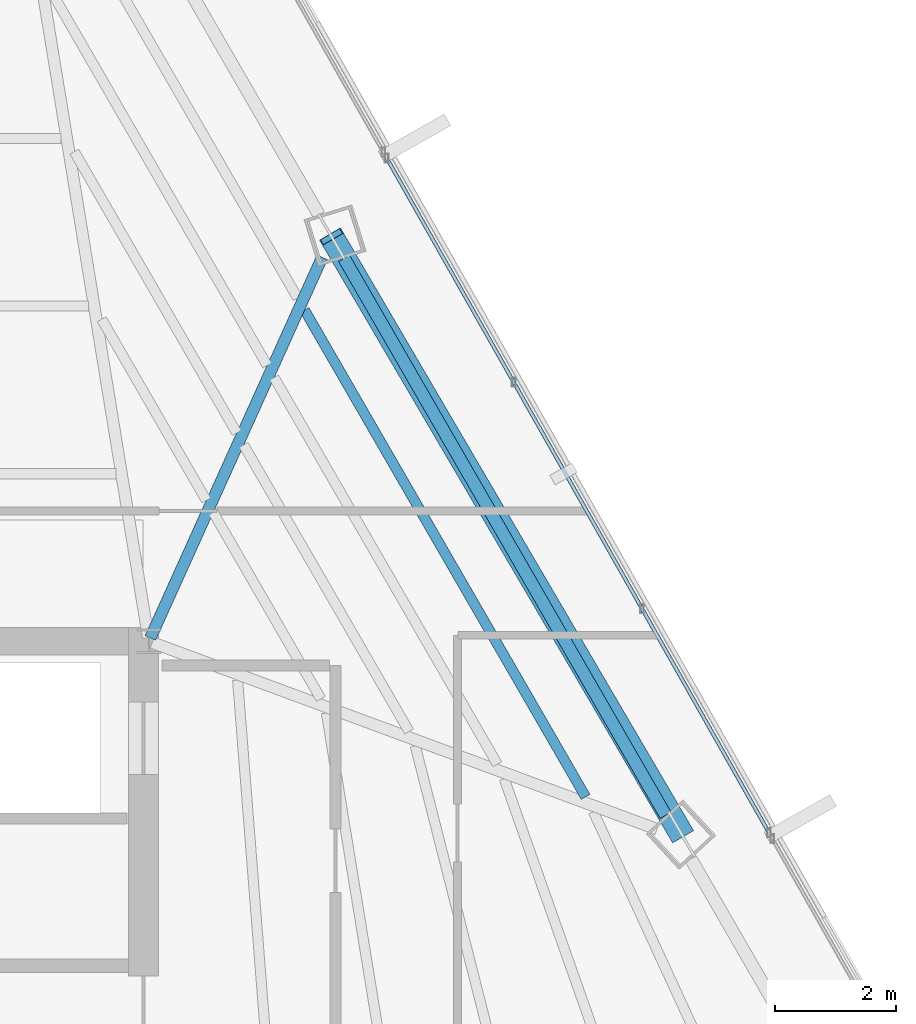
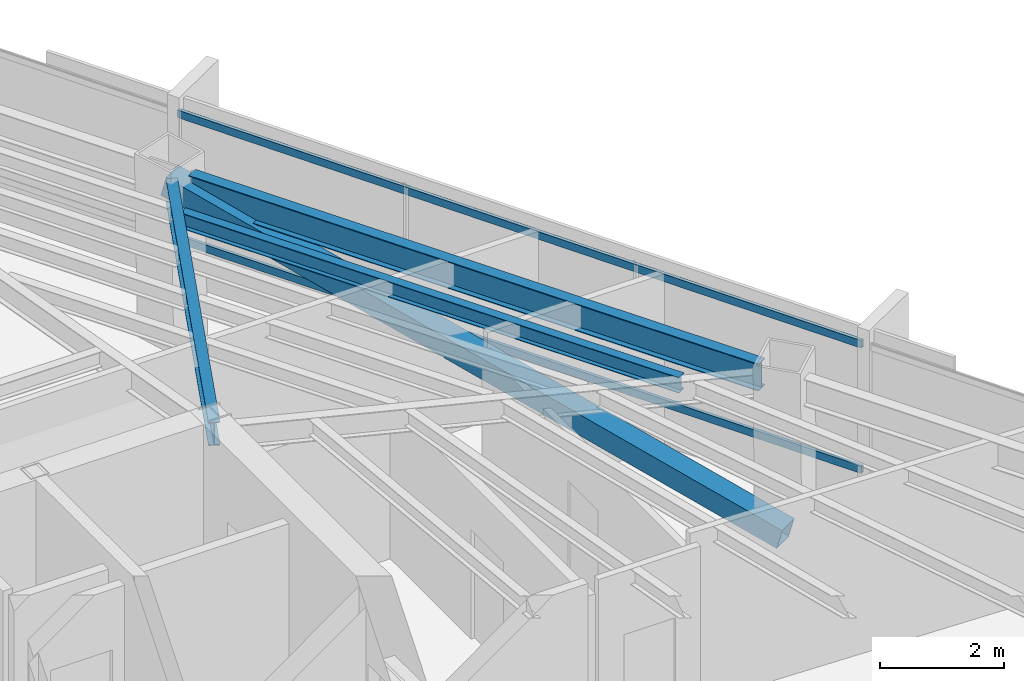
# One storey, part 27 of 40: 3 beams, 3 members, 1 element without a shape of its own.
"""IFC4 building model written with IfcOpenShell, lengths in metres."""

import ifcopenshell
import ifcopenshell.guid

model = None  # the IFC model being written
_history = None  # IfcOwnerHistory: only IFC2X3 demands one
_inside = {}  # id of a spatial element -> (the spatial element, [elements in it])
_under = {}  # id of a project, library or spatial element -> (it, [spatial elements below it])
_declared = {}  # id of a project -> (the project, [libraries it declares])
_typed = {}  # id of a type object -> (the type object, [elements of that type])
_made_of = {}  # id of a material, layer set ... -> (it, [elements and type objects made of it])


def new_model(schema):
    """Start an empty IFC model of exactly this schema.

    Asked for "IFC4X3", IfcOpenShell would pick the latest addendum, in which some entities
    have other attributes; the version numbers below select the first issue.
    IFC2X3 requires an IfcOwnerHistory on every rooted entity: one is made here for all.
    """
    global model, _history
    if schema == "IFC4X3":
        model = ifcopenshell.file(schema_version=(4, 3, 0, 0))
    else:
        model = ifcopenshell.file(schema=schema)
    _inside.clear()
    _under.clear()
    _declared.clear()
    _typed.clear()
    _made_of.clear()
    _history = None
    if model.schema == "IFC2X3":
        org = make("IfcOrganization", Name="unknown")
        user = make(
            "IfcPersonAndOrganization",
            ThePerson=make("IfcPerson", FamilyName="unknown"),
            TheOrganization=org,
        )
        app = make(
            "IfcApplication",
            ApplicationDeveloper=org,
            Version="unknown",
            ApplicationFullName="unknown",
            ApplicationIdentifier="unknown",
        )
        _history = make(
            "IfcOwnerHistory",
            OwningUser=user,
            OwningApplication=app,
            ChangeAction="ADDED",
            CreationDate=0,
        )
    return model


def make(cls, **values):
    """One entity of the class cls with the attributes given. An attribute that is None is left unset."""
    return model.create_entity(
        cls, **{name: value for name, value in values.items() if value is not None}
    )


def rooted(cls, **values):
    """An entity with a GlobalId (a new one), such as an element, a storey or a relation."""
    return make(cls, GlobalId=ifcopenshell.guid.new(), OwnerHistory=_history, **values)


def si_unit(unit_type, name, prefix=None):
    """IfcSIUnit, for example si_unit("LENGTHUNIT", "METRE", prefix="MILLI")."""
    return make("IfcSIUnit", UnitType=unit_type, Prefix=prefix, Name=name)


def assignment(units):
    """IfcUnitAssignment: the units of a project."""
    return None if units is None else make("IfcUnitAssignment", Units=units)


def point(xyz):
    """IfcCartesianPoint."""
    return None if xyz is None else make("IfcCartesianPoint", Coordinates=xyz)


def direction(xyz):
    """IfcDirection."""
    return None if xyz is None else make("IfcDirection", DirectionRatios=xyz)


def frame(location, z_axis=None, x_axis=None):
    """IfcAxis2Placement3D, a coordinate frame: its origin and axes. An axis left out is left unset."""
    return make(
        "IfcAxis2Placement3D",
        Location=point(location),
        Axis=direction(z_axis),
        RefDirection=direction(x_axis),
    )


def frame_2d(location, x_axis=None):
    """IfcAxis2Placement2D, a coordinate frame in the plane: its origin and x axis."""
    return make(
        "IfcAxis2Placement2D", Location=point(location), RefDirection=direction(x_axis)
    )


def origin():
    """The frame at (0, 0, 0) with its axes left unset."""
    return frame((0.0, 0.0, 0.0))


def origin_2d():
    """The frame at (0, 0) in the plane with its x axis left unset."""
    return frame_2d((0.0, 0.0))


def place(relative_to, where):
    """IfcLocalPlacement: puts the frame where relative to a parent placement (None: the world)."""
    return make(
        "IfcLocalPlacement", PlacementRelTo=relative_to, RelativePlacement=where
    )


def context(
    kind, dimensions, precision=None, world=None, true_north=None, identifier=None
):
    """IfcGeometricRepresentationContext, for example the 3D "Model" context."""
    return make(
        "IfcGeometricRepresentationContext",
        ContextIdentifier=identifier,
        ContextType=kind,
        CoordinateSpaceDimension=dimensions,
        Precision=precision,
        WorldCoordinateSystem=world,
        TrueNorth=true_north,
    )


def subcontext(parent, identifier, kind, view, scale=None):
    """IfcGeometricRepresentationSubContext, for example "Body" below "Model"."""
    return make(
        "IfcGeometricRepresentationSubContext",
        ContextIdentifier=identifier,
        ContextType=kind,
        ParentContext=parent,
        TargetScale=scale,
        TargetView=view,
    )


def project(units=None, contexts=None):
    """IfcProject with its units and contexts."""
    return rooted(
        "IfcProject",
        Name="project",
        RepresentationContexts=contexts,
        UnitsInContext=assignment(units),
    )


def spatial(cls, under=None, at=None, **own):
    """A site, building, storey or space (cls), placed at a placement, below another one or the project."""
    s = rooted(cls, ObjectPlacement=at, **own)
    if under is not None:
        _under.setdefault(under.id(), (under, []))[1].append(s)
    return s


def profile(cls, at=None, kind="AREA", **sizes):
    """A parametric profile (cls). Its sizes go by their IFC names, for example OverallWidth=200.0."""
    return make(cls, ProfileType=kind, Position=at, **sizes)


def hollow_rectangle(**sizes):
    """IfcRectangleHollowProfileDef."""
    return profile("IfcRectangleHollowProfileDef", **sizes)


def i_section(**sizes):
    """IfcIShapeProfileDef."""
    return profile("IfcIShapeProfileDef", **sizes)


def extrude(swept, where, along, depth):
    """IfcExtrudedAreaSolid: the profile swept, set in the frame where, extruded along a direction by depth."""
    return make(
        "IfcExtrudedAreaSolid",
        SweptArea=swept,
        Position=where,
        ExtrudedDirection=direction(along),
        Depth=depth,
    )


def shape(context_of_items, identifier, shape_type, items):
    """IfcShapeRepresentation: the items that make up one representation, for example the "Body"."""
    return make(
        "IfcShapeRepresentation",
        ContextOfItems=context_of_items,
        RepresentationIdentifier=identifier,
        RepresentationType=shape_type,
        Items=items,
    )


def source(mapping_origin, context_of_items, identifier, shape_type, items):
    """IfcRepresentationMap: a shape defined once, which mapped items show again and again."""
    return make(
        "IfcRepresentationMap",
        MappingOrigin=mapping_origin,
        MappedRepresentation=shape(context_of_items, identifier, shape_type, items),
    )


def transform(
    local_origin,
    x_axis=None,
    y_axis=None,
    z_axis=None,
    scale=None,
    scale2=None,
    scale3=None,
    uniform=True,
):
    """IfcCartesianTransformationOperator3D, or its non-uniform kind. x_axis, y_axis, z_axis: its Axis1, 2, 3."""
    if uniform:
        return make(
            "IfcCartesianTransformationOperator3D",
            Axis1=direction(x_axis),
            Axis2=direction(y_axis),
            LocalOrigin=point(local_origin),
            Scale=scale,
            Axis3=direction(z_axis),
        )
    return make(
        "IfcCartesianTransformationOperator3DnonUniform",
        Axis1=direction(x_axis),
        Axis2=direction(y_axis),
        LocalOrigin=point(local_origin),
        Scale=scale,
        Axis3=direction(z_axis),
        Scale2=scale2,
        Scale3=scale3,
    )


def mapped(mapping_source, mapping_target):
    """IfcMappedItem: shows the shape of a source again, moved by a transform."""
    return make(
        "IfcMappedItem", MappingSource=mapping_source, MappingTarget=mapping_target
    )


def material(Name=None, Category=None):
    """IfcMaterial."""
    return make("IfcMaterial", Name=Name, Category=Category)


def material_profile(
    of_material, cross_section, Name=None, Category=None, Priority=None
):
    """IfcMaterialProfile: a cross section and its material."""
    return make(
        "IfcMaterialProfile",
        Name=Name,
        Material=of_material,
        Profile=cross_section,
        Priority=Priority,
        Category=Category,
    )


def profile_set(profiles, Name=None, composite=None):
    """IfcMaterialProfileSet."""
    return make(
        "IfcMaterialProfileSet",
        Name=Name,
        MaterialProfiles=profiles,
        CompositeProfile=composite,
    )


def made_of(thing, what):
    """Note that an element or type object is made of a material, layer set ...; save() writes the relation."""
    if what is not None:
        _made_of.setdefault(what.id(), (what, []))[1].append(thing)
    return thing


def type_object(cls, material=None, **own):
    """A type object (cls), such as IfcWallType, which elements share."""
    return made_of(rooted(cls, **own), material)


def type_shapes(of_type, sources):
    """Give a type object the sources (RepresentationMaps) that its elements show as mapped items."""
    of_type.RepresentationMaps = sources


def element(
    cls,
    number,
    at=None,
    inside=None,
    cuts=None,
    type_object=None,
    material=None,
    context=None,
    identifier="Body",
    shape_type=None,
    held_by="IfcProductDefinitionShape",
    body=None,
    shapes=None,
    **own,
):
    """One element of the class cls, such as IfcWall. Its Tag is "e" and its number.

    at: its placement. inside: the storey or other place that contains it. cuts: it is an
    opening in that element (IfcRelVoidsElement). A single representation is given by context,
    identifier, shape_type and body (its items); several are given by shapes. held_by: the class
    of the entity that holds the representations. save() writes the other relations.
    """
    e = rooted(cls, Tag="e%d" % number, ObjectPlacement=at, **own)
    if body is not None:
        shapes = [shape(context, identifier, shape_type, body)]
    if shapes is not None:
        e.Representation = make(held_by, Representations=shapes)
    if inside is not None:
        _inside.setdefault(inside.id(), (inside, []))[1].append(e)
    if cuts is not None:
        rooted(
            "IfcRelVoidsElement", RelatingBuildingElement=cuts, RelatedOpeningElement=e
        )
    if type_object is not None:
        _typed.setdefault(type_object.id(), (type_object, []))[1].append(e)
    return made_of(e, material)


def aggregate(whole, parts):
    """IfcRelAggregates: a whole, such as a stair, and the parts it consists of."""
    return rooted("IfcRelAggregates", RelatingObject=whole, RelatedObjects=parts)


def save(model, path):
    """Write the relations noted so far, then the file.

    IfcRelAggregates (storeys below a building ...), IfcRelContainedInSpatialStructure (elements
    in a storey), IfcRelDefinesByType, IfcRelAssociatesMaterial and IfcRelDeclares: one each for
    every whole, place, type object, material and project.
    """
    for whole, parts in _under.values():
        aggregate(whole, parts)
    for where, things in _inside.values():
        rooted(
            "IfcRelContainedInSpatialStructure",
            RelatedElements=things,
            RelatingStructure=where,
        )
    for kind, things in _typed.values():
        rooted("IfcRelDefinesByType", RelatedObjects=things, RelatingType=kind)
    for what, things in _made_of.values():
        rooted("IfcRelAssociatesMaterial", RelatedObjects=things, RelatingMaterial=what)
    for by, libraries in _declared.values():
        rooted("IfcRelDeclares", RelatingContext=by, RelatedDefinitions=libraries)
    model.write(path)


model = new_model("IFC4")

# Units and contexts
model_context = context("Model", 3, precision=1e-05, world=origin(), true_north=direction((0.0, 1.0)))
body_context = subcontext(model_context, "Body", "Model", "MODEL_VIEW")
ifc_project = project(units=[si_unit("LENGTHUNIT", "METRE"), si_unit("AREAUNIT", "SQUARE_METRE"), si_unit("VOLUMEUNIT", "CUBIC_METRE"), si_unit("PLANEANGLEUNIT", "RADIAN"), si_unit("MASSUNIT", "GRAM", prefix="KILO")], contexts=[model_context])

# Site, building, storey
site_placement = place(None, origin())
site = spatial("IfcSite", under=ifc_project, at=site_placement, CompositionType="ELEMENT")
building_placement = place(site_placement, origin())
building = spatial("IfcBuilding", under=site, at=building_placement, Name="Caelisora Broadcast Tower", CompositionType="ELEMENT")
storey_placement = place(building_placement, frame((0.0, 0.0, 213.25)))
storey = spatial("IfcBuildingStorey", under=building, at=storey_placement, Name="L56", CompositionType="ELEMENT", Elevation=213.25)

# Beams
ifc_material_1 = material(Name="Steel Grade 350 (AS/NZS 3679.1)", Category="steel")
ifc_material_profile_1 = material_profile(ifc_material_1, i_section(OverallWidth=0.208984375, OverallDepth=0.532958984375, WebThickness=0.01025390625, FlangeThickness=0.015625, at=origin_2d()), Name="Steel Grade 350 (AS/NZS 3679.1)")
ifc_profile_set_1 = profile_set([ifc_material_profile_1], Name="Steel Grade 350 (AS/NZS 3679.1)")
beam_type_1 = type_object("IfcBeamType", Name="PG05", PredefinedType="BEAM", material=ifc_profile_set_1)
shared_shape_1 = source(origin(), body_context, "Body", "SweptSolid", [
    extrude(i_section(OverallWidth=0.208984375, OverallDepth=0.532958984375, WebThickness=0.01025390625, FlangeThickness=0.015625, at=origin_2d()), origin(), (0.0, 0.0, 1.0), 10.62255859375),
])
type_shapes(beam_type_1, [shared_shape_1])
beam_1_placement = place(storey_placement, frame((54.0361328125, 27.12548828125, 3.133544921875), z_axis=(-0.499997664454, 0.866026752208, 0.0), x_axis=(-0.866026752208, -0.499997664454, 0.0)))
element("IfcBeam", 1, at=beam_1_placement, inside=storey, type_object=beam_type_1, Name="L56 beam PG05", PredefinedType="BEAM", context=body_context, shape_type="MappedRepresentation", body=[
    mapped(shared_shape_1, transform((0.0, 0.0, 0.0), scale=1.0)),
])
ifc_material_profile_2 = material_profile(ifc_material_1, i_section(OverallWidth=0.19091796875, OverallDepth=0.46044921875, WebThickness=0.010009765625, FlangeThickness=0.01611328125, at=origin_2d()), Name="Steel Grade 350 (AS/NZS 3679.1)")
ifc_profile_set_2 = profile_set([ifc_material_profile_2], Name="Steel Grade 350 (AS/NZS 3679.1)")
beam_type_2 = type_object("IfcBeamType", Name="PG06", PredefinedType="BEAM", material=ifc_profile_set_2)
shared_shape_2 = source(origin(), body_context, "Body", "SweptSolid", [
    extrude(i_section(OverallWidth=0.19091796875, OverallDepth=0.46044921875, WebThickness=0.010009765625, FlangeThickness=0.01611328125, at=origin_2d()), origin(), (0.0, 0.0, 1.0), 6.8984375),
])
type_shapes(beam_type_2, [shared_shape_2])
beam_2_placement = place(storey_placement, frame((45.524658203125, 30.0546875, 3.169921875), z_axis=(0.411343012305, 0.911480623068, 0.0), x_axis=(-0.911480623068, 0.411343012305, 0.0)))
element("IfcBeam", 2, at=beam_2_placement, inside=storey, type_object=beam_type_2, Name="L56 beam PG06", PredefinedType="BEAM", context=body_context, shape_type="MappedRepresentation", body=[
    mapped(shared_shape_2, transform((0.0, 0.0, 0.0), scale=1.0)),
])
ifc_material_profile_3 = material_profile(ifc_material_1, i_section(OverallWidth=0.166015625, OverallDepth=0.30712890625, WebThickness=0.006591796875, FlangeThickness=0.01171875, at=origin_2d()), Name="Steel Grade 350 (AS/NZS 3679.1)")
ifc_profile_set_3 = profile_set([ifc_material_profile_3], Name="Steel Grade 350 (AS/NZS 3679.1)")
beam_type_3 = type_object("IfcBeamType", Name="SB03", PredefinedType="JOIST", material=ifc_profile_set_3)
shared_shape_3 = source(origin(), body_context, "Body", "SweptSolid", [
    extrude(i_section(OverallWidth=0.166015625, OverallDepth=0.30712890625, WebThickness=0.006591796875, FlangeThickness=0.01171875, at=origin_2d()), origin(), (0.0, 0.0, 1.0), 9.2841796875),
])
type_shapes(beam_type_3, [shared_shape_3])
beam_3_placement = place(storey_placement, frame((52.71337890625, 27.431396484375, 3.246337890625), z_axis=(-0.500002437387, 0.866023996554, 0.0), x_axis=(-0.866023996554, -0.500002437387, 0.0)))
element("IfcBeam", 3, at=beam_3_placement, inside=storey, type_object=beam_type_3, Name="L56 beam SB03", PredefinedType="JOIST", context=body_context, shape_type="MappedRepresentation", body=[
    mapped(shared_shape_3, transform((0.0, 0.0, 0.0), scale=1.0)),
])

# Member
ifc_material_2 = material(Name="Steel Grade 450 (AS/NZS 1163 C450L0)", Category="steel")
ifc_material_profile_4 = material_profile(ifc_material_2, hollow_rectangle(XDim=0.39990234375, YDim=0.39990234375, WallThickness=0.01611328125, at=origin_2d()), Name="Steel Grade 450 (AS/NZS 1163 C450L0)")
ifc_profile_set_4 = profile_set([ifc_material_profile_4], Name="Steel Grade 450 (AS/NZS 1163 C450L0)")
member_type_1 = type_object("IfcMemberType", Name="BR04", PredefinedType="BRACE", material=ifc_profile_set_4)
shared_shape_4 = source(origin(), body_context, "Body", "SweptSolid", [
    extrude(hollow_rectangle(XDim=0.39990234375, YDim=0.39990234375, WallThickness=0.01611328125, at=origin_2d()), origin(), (0.0, 0.0, 1.0), 11.8251953125),
])
type_shapes(member_type_1, [shared_shape_4])
member_1_placement = place(storey_placement, frame((54.298583984375, 26.815673828125, 0.10009765625), z_axis=(-0.488928906668, 0.834618696941, 0.2536930329), x_axis=(-0.862846924141, -0.505465315824, 0.0)))
element("IfcMember", 4, at=member_1_placement, inside=storey, type_object=member_type_1, Name="L56 perimeter brace BR04", PredefinedType="BRACE", context=body_context, shape_type="MappedRepresentation", body=[
    mapped(shared_shape_4, transform((0.0, 0.0, 0.0), scale=1.0)),
])

# Curtain wall, members
ifc_material_3 = material(Name="Unitised Aluminium Insulated Shadow-Box Spandrel Curtain Wall", Category="aluminium")
curtain_wall_type = type_object("IfcCurtainWallType", Name="CW-SP2", PredefinedType="NOTDEFINED", material=ifc_material_3)
curtain_wall_placement = place(storey_placement, origin())
curtain_wall = element("IfcCurtainWall", 5, at=curtain_wall_placement, inside=storey, type_object=curtain_wall_type, Name="L56 curtain wall CW-SP2", PredefinedType="NOTDEFINED")
ifc_material_4 = material(Name="Aluminium 6063-T6 Anodised Terracotta Bronze", Category="aluminium")
ifc_material_profile_5 = material_profile(ifc_material_4, hollow_rectangle(XDim=0.06005859375, YDim=0.14990234375, WallThickness=0.00341796875, at=origin_2d()), Name="Aluminium 6063-T6 Anodised Terracotta Bronze")
ifc_profile_set_5 = profile_set([ifc_material_profile_5], Name="Aluminium 6063-T6 Anodised Terracotta Bronze")
member_type_2 = type_object("IfcMemberType", Name="CWT-02", PredefinedType="USERDEFINED", material=ifc_profile_set_5)
shared_shape_5 = source(origin(), body_context, "Body", "SweptSolid", [
    extrude(hollow_rectangle(XDim=0.06005859375, YDim=0.14990234375, WallThickness=0.00341796875, at=origin_2d()), origin(), (0.0, 0.0, 1.0), 12.8115234375),
])
type_shapes(member_type_2, [shared_shape_5])
member_2_placement = place(storey_placement, frame((49.428955078125, 37.982666015625, 0.85009765625), z_axis=(0.492950545323, -0.870057331367, 0.0), x_axis=(0.870057331367, 0.492950545323, 0.0)))
member_2 = element("IfcMember", 6, at=member_2_placement, type_object=member_type_2, Name="L56-CW-B02 transom #1", ObjectType="TRANSOM", PredefinedType="USERDEFINED", context=body_context, shape_type="MappedRepresentation", body=[
    mapped(shared_shape_5, transform((0.0, 0.0, 0.0), scale=1.0)),
])
member_3_placement = place(storey_placement, frame((49.428955078125, 37.982666015625, 3.320068359375), z_axis=(0.492950545323, -0.870057331367, 0.0), x_axis=(0.870057331367, 0.492950545323, 0.0)))
member_3 = element("IfcMember", 7, at=member_3_placement, type_object=member_type_2, Name="L56-CW-B02 transom #2", ObjectType="TRANSOM", PredefinedType="USERDEFINED", context=body_context, shape_type="MappedRepresentation", body=[
    mapped(shared_shape_5, transform((0.0, 0.0, 0.0), scale=1.0)),
])
aggregate(curtain_wall, [member_2, member_3])

save(model, "model.ifc")
